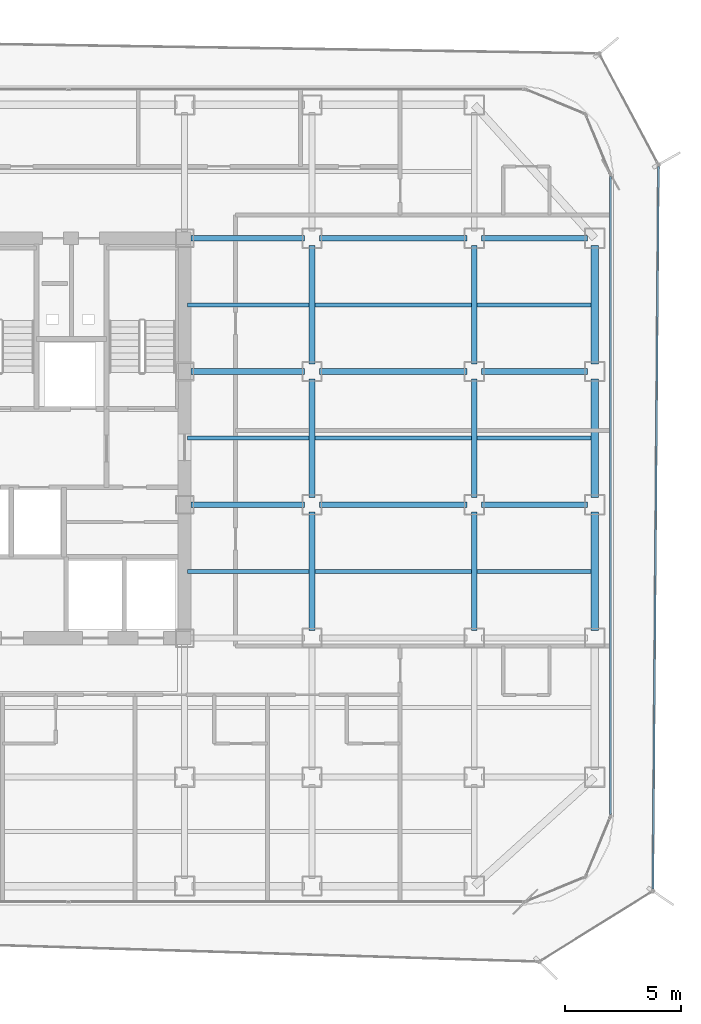
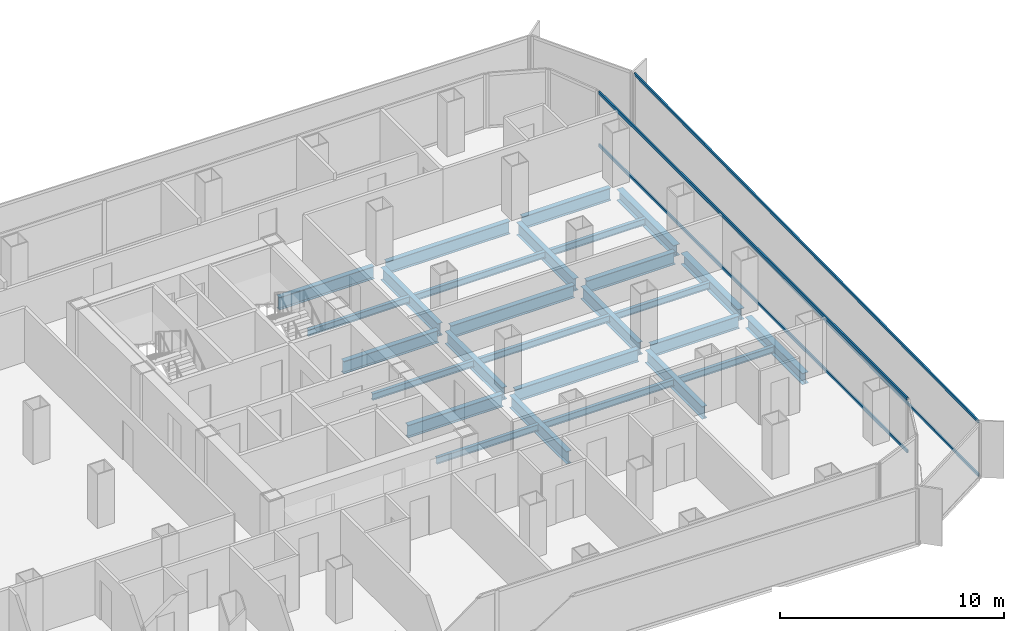
# One storey, part 9 of 21: 27 beams, 4 members, 2 elements without a shape of their own.
"""IFC4 building model written with IfcOpenShell, lengths in metres."""

from ifc_helpers import new_model, si_unit, direction, frame, origin, origin_2d, place, context, subcontext, project, spatial, hollow_rectangle, i_section, extrude, source, transform, mapped, material, layer, layer_set, material_profile, profile_set, type_object, element, aggregate, save


model = new_model("IFC4")

# Units and contexts
model_context = context("Model", 3, precision=1e-05, world=origin(), true_north=direction((0.0, 1.0)))
body_context = subcontext(model_context, "Body", "Model", "MODEL_VIEW")
ifc_project = project(units=[si_unit("LENGTHUNIT", "METRE"), si_unit("AREAUNIT", "SQUARE_METRE"), si_unit("VOLUMEUNIT", "CUBIC_METRE"), si_unit("PLANEANGLEUNIT", "RADIAN"), si_unit("MASSUNIT", "GRAM", prefix="KILO")], contexts=[model_context])

# Site, building, storey
site_placement = place(None, origin())
site = spatial("IfcSite", under=ifc_project, at=site_placement, CompositionType="ELEMENT")
building_placement = place(site_placement, origin())
building = spatial("IfcBuilding", under=site, at=building_placement, Name="Kolveth Station Tower", CompositionType="ELEMENT")
storey_placement = place(building_placement, frame((0.0, 0.0, 99.10009765625)))
storey = spatial("IfcBuildingStorey", under=building, at=storey_placement, Name="L26", CompositionType="ELEMENT", Elevation=99.10009765625)

# Beams
ifc_material_1 = material(Name="Steel S355", Category="steel")
ifc_material_profile_1 = material_profile(ifc_material_1, i_section(OverallWidth=0.323974609375, OverallDepth=0.611083984375, WebThickness=0.0126953125, FlangeThickness=0.01904296875, at=origin_2d()), Name="W610x155")
ifc_profile_set_1 = profile_set([ifc_material_profile_1], Name="Steel S355")
beam_type_1 = type_object("IfcBeamType", Name="Beam_SP2", PredefinedType="SPANDREL", material=ifc_profile_set_1)
shared_shape_1 = source(origin(), body_context, "Body", "SweptSolid", [
    extrude(i_section(OverallWidth=0.323974609375, OverallDepth=0.611083984375, WebThickness=0.0126953125, FlangeThickness=0.01904296875, at=origin_2d()), origin(), (0.0, 0.0, 1.0), 5.10986328125),
])
for number, where, z_axis, x_axis, name in (
    (1, (46.199951171875, 11.820068359375, -0.5556640625), (0.0, 1.0, 0.0), (-1.0, 0.0, 0.0), "L26 Perimeter Spandrel BM-L26-PE-2"),
    (2, (46.199951171875, 17.570068359375, -0.5556640625), (0.0, 1.0, 0.0), (-1.0, 0.0, 0.0), "L26 Perimeter Spandrel BM-L26-PE-3"),
    (3, (46.199951171875, 23.320068359375, -0.5556640625), (0.0, 1.0, 0.0), (-1.0, 0.0, 0.0), "L26 Perimeter Spandrel BM-L26-PE-4"),
):
    element("IfcBeam", number, at=place(storey_placement, frame(where, z_axis=z_axis, x_axis=x_axis)), inside=storey, type_object=beam_type_1, Name=name, PredefinedType="SPANDREL", context=body_context, shape_type="MappedRepresentation", body=[
        mapped(shared_shape_1, transform((0.0, 0.0, 0.0), x_axis=(1.0, 0.0, 0.0), y_axis=(0.0, 1.0, 0.0), z_axis=(0.0, 0.0, 1.0), scale=1.0)),
    ])
ifc_material_profile_2 = material_profile(ifc_material_1, i_section(OverallWidth=0.25390625, OverallDepth=0.68798828125, WebThickness=0.01318359375, FlangeThickness=0.02099609375, at=origin_2d()), Name="W690x152")
ifc_profile_set_2 = profile_set([ifc_material_profile_2], Name="Steel S355")
beam_type_2 = type_object("IfcBeamType", Name="Beam_B4", PredefinedType="BEAM", material=ifc_profile_set_2)
shared_shape_2 = source(origin(), body_context, "Body", "SweptSolid", [
    extrude(i_section(OverallWidth=0.25390625, OverallDepth=0.68798828125, WebThickness=0.01318359375, FlangeThickness=0.02099609375, at=origin_2d()), origin(), (0.0, 0.0, 1.0), 4.559814453125),
])
for number, where, z_axis, x_axis, name in (
    (4, (41.320068359375, 17.25, -0.593994140625), (1.0, 0.0, 0.0), (0.0, 1.0, 0.0), "L26 Primary Girder BM-L26-GY172-7"),
    (5, (41.320068359375, 23.0, -0.593994140625), (1.0, 0.0, 0.0), (0.0, 1.0, 0.0), "L26 Primary Girder BM-L26-GY230-7"),
    (6, (41.320068359375, 28.75, -0.593994140625), (1.0, 0.0, 0.0), (0.0, 1.0, 0.0), "L26 Primary Girder BM-L26-GY287-7"),
):
    element("IfcBeam", number, at=place(storey_placement, frame(where, z_axis=z_axis, x_axis=x_axis)), inside=storey, type_object=beam_type_2, Name=name, PredefinedType="BEAM", context=body_context, shape_type="MappedRepresentation", body=[
        mapped(shared_shape_2, transform((0.0, 0.0, 0.0), x_axis=(1.0, 0.0, 0.0), y_axis=(0.0, 1.0, 0.0), z_axis=(0.0, 0.0, 1.0), scale=1.0)),
    ])
shared_shape_3 = source(origin(), body_context, "Body", "SweptSolid", [
    extrude(i_section(OverallWidth=0.25390625, OverallDepth=0.68798828125, WebThickness=0.01318359375, FlangeThickness=0.02099609375, at=origin_2d()), origin(), (0.0, 0.0, 1.0), 6.35986328125),
])
for number, where, z_axis, x_axis, name in (
    (7, (34.320068359375, 17.25, -0.593994140625), (1.0, 0.0, 0.0), (0.0, 1.0, 0.0), "L26 Primary Girder BM-L26-GY172-6"),
    (8, (34.320068359375, 23.0, -0.593994140625), (1.0, 0.0, 0.0), (0.0, 1.0, 0.0), "L26 Primary Girder BM-L26-GY230-6"),
    (9, (34.320068359375, 28.75, -0.593994140625), (1.0, 0.0, 0.0), (0.0, 1.0, 0.0), "L26 Primary Girder BM-L26-GY287-6"),
):
    element("IfcBeam", number, at=place(storey_placement, frame(where, z_axis=z_axis, x_axis=x_axis)), inside=storey, type_object=beam_type_2, Name=name, PredefinedType="BEAM", context=body_context, shape_type="MappedRepresentation", body=[
        mapped(shared_shape_3, transform((0.0, 0.0, 0.0), x_axis=(1.0, 0.0, 0.0), y_axis=(0.0, 1.0, 0.0), z_axis=(0.0, 0.0, 1.0), scale=1.0)),
    ])
shared_shape_4 = source(origin(), body_context, "Body", "SweptSolid", [
    extrude(i_section(OverallWidth=0.25390625, OverallDepth=0.68798828125, WebThickness=0.01318359375, FlangeThickness=0.02099609375, at=origin_2d()), origin(), (0.0, 0.0, 1.0), 4.89990234375),
])
for number, where, z_axis, x_axis, name in (
    (10, (28.780029296875, 17.25, -0.593994140625), (1.0, 0.0, 0.0), (0.0, 1.0, 0.0), "L26 Primary Girder BM-L26-GY172-5"),
    (11, (28.780029296875, 23.0, -0.593994140625), (1.0, 0.0, 0.0), (0.0, 1.0, 0.0), "L26 Primary Girder BM-L26-GY230-5"),
    (12, (28.780029296875, 28.75, -0.593994140625), (1.0, 0.0, 0.0), (0.0, 1.0, 0.0), "L26 Primary Girder BM-L26-GY287-5"),
):
    element("IfcBeam", number, at=place(storey_placement, frame(where, z_axis=z_axis, x_axis=x_axis)), inside=storey, type_object=beam_type_2, Name=name, PredefinedType="BEAM", context=body_context, shape_type="MappedRepresentation", body=[
        mapped(shared_shape_4, transform((0.0, 0.0, 0.0), x_axis=(1.0, 0.0, 0.0), y_axis=(0.0, 1.0, 0.0), z_axis=(0.0, 0.0, 1.0), scale=1.0)),
    ])
shared_shape_5 = source(origin(), body_context, "Body", "SweptSolid", [
    extrude(i_section(OverallWidth=0.25390625, OverallDepth=0.68798828125, WebThickness=0.01318359375, FlangeThickness=0.02099609375, at=origin_2d()), origin(), (0.0, 0.0, 1.0), 5.10986328125),
])
for number, where, z_axis, x_axis, name in (
    (13, (34.0, 11.820068359375, -0.593994140625), (0.0, 1.0, 0.0), (-1.0, 0.0, 0.0), "L26 Primary Girder BM-L26-GX340-3"),
    (14, (34.0, 17.570068359375, -0.593994140625), (0.0, 1.0, 0.0), (-1.0, 0.0, 0.0), "L26 Primary Girder BM-L26-GX340-4"),
    (15, (34.0, 23.320068359375, -0.593994140625), (0.0, 1.0, 0.0), (-1.0, 0.0, 0.0), "L26 Primary Girder BM-L26-GX340-5"),
    (16, (41.0, 11.820068359375, -0.593994140625), (0.0, 1.0, 0.0), (-1.0, 0.0, 0.0), "L26 Primary Girder BM-L26-GX410-3"),
    (17, (41.0, 17.570068359375, -0.593994140625), (0.0, 1.0, 0.0), (-1.0, 0.0, 0.0), "L26 Primary Girder BM-L26-GX410-4"),
    (18, (41.0, 23.320068359375, -0.593994140625), (0.0, 1.0, 0.0), (-1.0, 0.0, 0.0), "L26 Primary Girder BM-L26-GX410-5"),
):
    element("IfcBeam", number, at=place(storey_placement, frame(where, z_axis=z_axis, x_axis=x_axis)), inside=storey, type_object=beam_type_2, Name=name, PredefinedType="BEAM", context=body_context, shape_type="MappedRepresentation", body=[
        mapped(shared_shape_5, transform((0.0, 0.0, 0.0), x_axis=(1.0, 0.0, 0.0), y_axis=(0.0, 1.0, 0.0), z_axis=(0.0, 0.0, 1.0), scale=1.0)),
    ])
ifc_material_profile_3 = material_profile(ifc_material_1, i_section(OverallWidth=0.1708984375, OverallDepth=0.35205078125, WebThickness=0.0068359375, FlangeThickness=0.009765625, at=origin_2d()), Name="W360x44")
ifc_profile_set_3 = profile_set([ifc_material_profile_3], Name="Steel S355")
beam_type_3 = type_object("IfcBeamType", Name="Beam_J2", PredefinedType="JOIST", material=ifc_profile_set_3)
shared_shape_6 = source(origin(), body_context, "Body", "SweptSolid", [
    extrude(i_section(OverallWidth=0.1708984375, OverallDepth=0.35205078125, WebThickness=0.0068359375, FlangeThickness=0.009765625, at=origin_2d()), origin(), (0.0, 0.0, 1.0), 4.9150390625),
])
for number, where, z_axis, x_axis, name in (
    (19, (41.125, 14.375, -0.426025390625), (1.0, 0.0, 0.0), (0.0, 1.0, 0.0), "L26 Secondary Joist JST-L26-7-3"),
    (20, (41.125, 20.125, -0.426025390625), (1.0, 0.0, 0.0), (0.0, 1.0, 0.0), "L26 Secondary Joist JST-L26-7-4"),
    (21, (41.125, 25.875, -0.426025390625), (1.0, 0.0, 0.0), (0.0, 1.0, 0.0), "L26 Secondary Joist JST-L26-7-5"),
):
    element("IfcBeam", number, at=place(storey_placement, frame(where, z_axis=z_axis, x_axis=x_axis)), inside=storey, type_object=beam_type_3, Name=name, PredefinedType="JOIST", context=body_context, shape_type="MappedRepresentation", body=[
        mapped(shared_shape_6, transform((0.0, 0.0, 0.0), x_axis=(1.0, 0.0, 0.0), y_axis=(0.0, 1.0, 0.0), z_axis=(0.0, 0.0, 1.0), scale=1.0)),
    ])
shared_shape_7 = source(origin(), body_context, "Body", "SweptSolid", [
    extrude(i_section(OverallWidth=0.1708984375, OverallDepth=0.35205078125, WebThickness=0.0068359375, FlangeThickness=0.009765625, at=origin_2d()), origin(), (0.0, 0.0, 1.0), 6.75),
])
for number, where, z_axis, x_axis, name in (
    (22, (34.125, 14.375, -0.426025390625), (1.0, 0.0, 0.0), (0.0, 1.0, 0.0), "L26 Secondary Joist JST-L26-6-3"),
    (23, (34.125, 20.125, -0.426025390625), (1.0, 0.0, 0.0), (0.0, 1.0, 0.0), "L26 Secondary Joist JST-L26-6-4"),
    (24, (34.125, 25.875, -0.426025390625), (1.0, 0.0, 0.0), (0.0, 1.0, 0.0), "L26 Secondary Joist JST-L26-6-5"),
):
    element("IfcBeam", number, at=place(storey_placement, frame(where, z_axis=z_axis, x_axis=x_axis)), inside=storey, type_object=beam_type_3, Name=name, PredefinedType="JOIST", context=body_context, shape_type="MappedRepresentation", body=[
        mapped(shared_shape_7, transform((0.0, 0.0, 0.0), x_axis=(1.0, 0.0, 0.0), y_axis=(0.0, 1.0, 0.0), z_axis=(0.0, 0.0, 1.0), scale=1.0)),
    ])
shared_shape_8 = source(origin(), body_context, "Body", "SweptSolid", [
    extrude(i_section(OverallWidth=0.1708984375, OverallDepth=0.35205078125, WebThickness=0.0068359375, FlangeThickness=0.009765625, at=origin_2d()), origin(), (0.0, 0.0, 1.0), 5.25),
])
for number, where, z_axis, x_axis, name in (
    (25, (28.625, 14.375, -0.426025390625), (1.0, 0.0, 0.0), (0.0, 1.0, 0.0), "L26 Secondary Joist JST-L26-5-3"),
    (26, (28.625, 20.125, -0.426025390625), (1.0, 0.0, 0.0), (0.0, 1.0, 0.0), "L26 Secondary Joist JST-L26-5-4"),
    (27, (28.625, 25.875, -0.426025390625), (1.0, 0.0, 0.0), (0.0, 1.0, 0.0), "L26 Secondary Joist JST-L26-5-5"),
):
    element("IfcBeam", number, at=place(storey_placement, frame(where, z_axis=z_axis, x_axis=x_axis)), inside=storey, type_object=beam_type_3, Name=name, PredefinedType="JOIST", context=body_context, shape_type="MappedRepresentation", body=[
        mapped(shared_shape_8, transform((0.0, 0.0, 0.0), x_axis=(1.0, 0.0, 0.0), y_axis=(0.0, 1.0, 0.0), z_axis=(0.0, 0.0, 1.0), scale=1.0)),
    ])

# Curtain wall, members
ifc_material_2 = material(Name="Aluminium 6063-T6 and low-E dark glass", Category="aluminium")
ifc_layer_1 = layer(ifc_material_2, 0.18994140625)
ifc_layer_set_1 = layer_set([ifc_layer_1], Name="Aluminium 6063-T6 and low-E dark glass")
curtain_wall_type_1 = type_object("IfcCurtainWallType", Name="CurtainWall_CW-Z2", PredefinedType="NOTDEFINED", material=ifc_layer_set_1)
curtain_wall_1_placement = place(storey_placement, origin())
curtain_wall_1 = element("IfcCurtainWall", 28, at=curtain_wall_1_placement, inside=storey, type_object=curtain_wall_type_1, Name="L26 Inner Thermal Curtain Wall 3", PredefinedType="NOTDEFINED")
ifc_material_3 = material(Name="Black anodized aluminium 6063-T6", Category="aluminium")
ifc_material_profile_4 = material_profile(ifc_material_3, hollow_rectangle(XDim=0.080078125, YDim=0.169921875, WallThickness=0.0048828125, at=origin_2d()), Name="ALU-80x170x5")
ifc_profile_set_4 = profile_set([ifc_material_profile_4], Name="Black anodized aluminium 6063-T6")
member_type_1 = type_object("IfcMemberType", Name="Transom_TR2", PredefinedType="USERDEFINED", material=ifc_profile_set_4)
shared_shape_9 = source(origin(), body_context, "Body", "SweptSolid", [
    extrude(hollow_rectangle(XDim=0.080078125, YDim=0.169921875, WallThickness=0.0048828125, at=origin_2d()), origin(), (0.0, 0.0, 1.0), 27.5400390625),
])
member_1_placement = place(storey_placement, frame((46.8798828125, 3.8798828125, 0.039794921875), z_axis=(0.0, 1.0, 0.0), x_axis=(-1.0, 0.0, 0.0)))
member_1 = element("IfcMember", 29, at=member_1_placement, type_object=member_type_1, Name="CW-Z2 transom 1.1", ObjectType="TRANSOM", PredefinedType="USERDEFINED", context=body_context, shape_type="MappedRepresentation", body=[
    mapped(shared_shape_9, transform((0.0, 0.0, 0.0), x_axis=(1.0, 0.0, 0.0), y_axis=(0.0, 1.0, 0.0), z_axis=(0.0, 0.0, 1.0), scale=1.0)),
])
member_2_placement = place(storey_placement, frame((46.8798828125, 3.8798828125, 2.909912109375), z_axis=(0.0, 1.0, 0.0), x_axis=(-1.0, 0.0, 0.0)))
member_2 = element("IfcMember", 30, at=member_2_placement, type_object=member_type_1, Name="CW-Z2 transom 1.2", ObjectType="TRANSOM", PredefinedType="USERDEFINED", context=body_context, shape_type="MappedRepresentation", body=[
    mapped(shared_shape_9, transform((0.0, 0.0, 0.0), x_axis=(1.0, 0.0, 0.0), y_axis=(0.0, 1.0, 0.0), z_axis=(0.0, 0.0, 1.0), scale=1.0)),
])
aggregate(curtain_wall_1, [member_1, member_2])

ifc_material_4 = material(Name="Black anodized aluminium 6063-T6 and dark solar glass", Category="aluminium")
ifc_layer_2 = layer(ifc_material_4, 0.159912109375)
ifc_layer_set_2 = layer_set([ifc_layer_2], Name="Black anodized aluminium 6063-T6 and dark solar glass")
curtain_wall_type_2 = type_object("IfcCurtainWallType", Name="OUTER SKIN CW-OS", PredefinedType="NOTDEFINED", material=ifc_layer_set_2)
curtain_wall_2_placement = place(storey_placement, origin())
curtain_wall_2 = element("IfcCurtainWall", 31, at=curtain_wall_2_placement, inside=storey, type_object=curtain_wall_type_2, Name="L26 Outer Ventilated Skin Curtain Wall 2", PredefinedType="NOTDEFINED")
ifc_material_profile_5 = material_profile(ifc_material_3, hollow_rectangle(XDim=0.080078125, YDim=0.14990234375, WallThickness=0.0048828125, at=origin_2d()), Name="ALU-80x150x5")
ifc_profile_set_5 = profile_set([ifc_material_profile_5], Name="Black anodized aluminium 6063-T6")
member_type_2 = type_object("IfcMemberType", Name="Transom_TR-OS", PredefinedType="USERDEFINED", material=ifc_profile_set_5)
shared_shape_10 = source(origin(), body_context, "Body", "SweptSolid", [
    extrude(hollow_rectangle(XDim=0.080078125, YDim=0.14990234375, WallThickness=0.0048828125, at=origin_2d()), origin(), (0.0, 0.0, 1.0), 31.16259765625),
])
member_3_placement = place(storey_placement, frame((48.70751953125, 0.67333984375, 0.039794921875), z_axis=(0.007724741703, 0.999970163738, 0.0), x_axis=(-0.999970163738, 0.007724741703, 0.0)))
member_3 = element("IfcMember", 32, at=member_3_placement, type_object=member_type_2, Name="CW-OS transom 1.1", ObjectType="TRANSOM", PredefinedType="USERDEFINED", context=body_context, shape_type="MappedRepresentation", body=[
    mapped(shared_shape_10, transform((0.0, 0.0, 0.0), x_axis=(1.0, 0.0, 0.0), y_axis=(0.0, 1.0, 0.0), z_axis=(0.0, 0.0, 1.0), scale=1.0)),
])
member_4_placement = place(storey_placement, frame((48.70751953125, 0.67333984375, 2.949951171875), z_axis=(0.007724741703, 0.999970163738, 0.0), x_axis=(-0.999970163738, 0.007724741703, 0.0)))
member_4 = element("IfcMember", 33, at=member_4_placement, type_object=member_type_2, Name="CW-OS transom 1.2", ObjectType="TRANSOM", PredefinedType="USERDEFINED", context=body_context, shape_type="MappedRepresentation", body=[
    mapped(shared_shape_10, transform((0.0, 0.0, 0.0), x_axis=(1.0, 0.0, 0.0), y_axis=(0.0, 1.0, 0.0), z_axis=(0.0, 0.0, 1.0), scale=1.0)),
])
aggregate(curtain_wall_2, [member_3, member_4])

save(model, "model.ifc")
